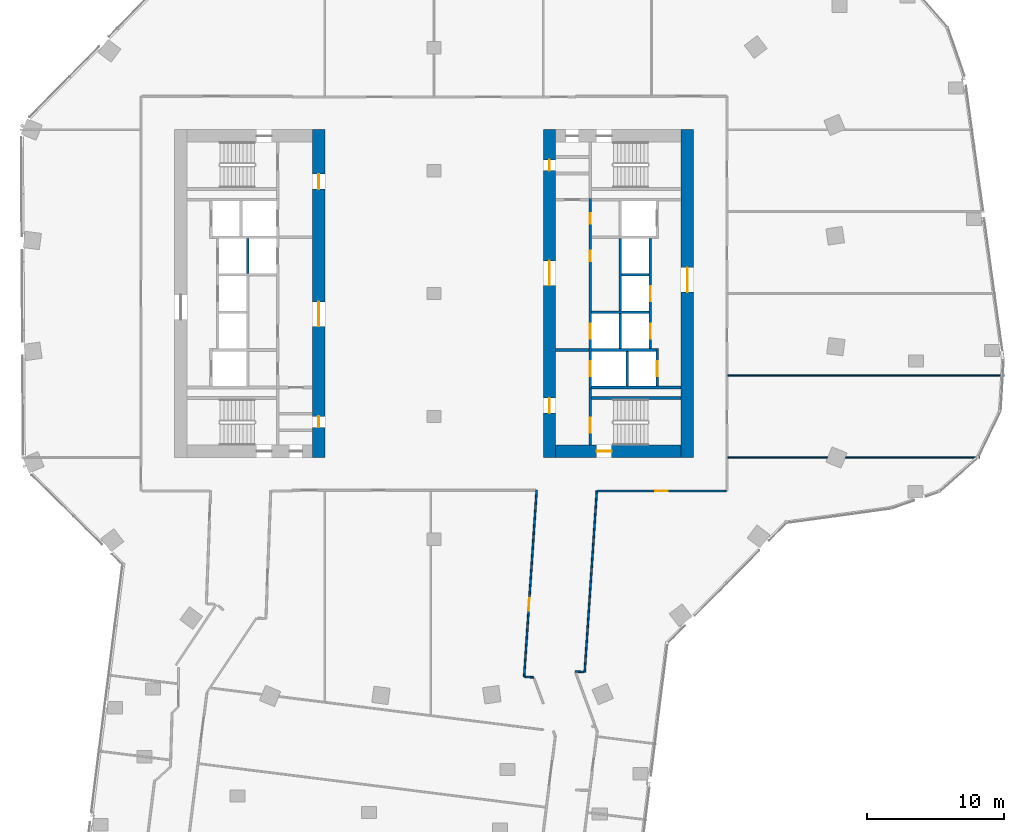
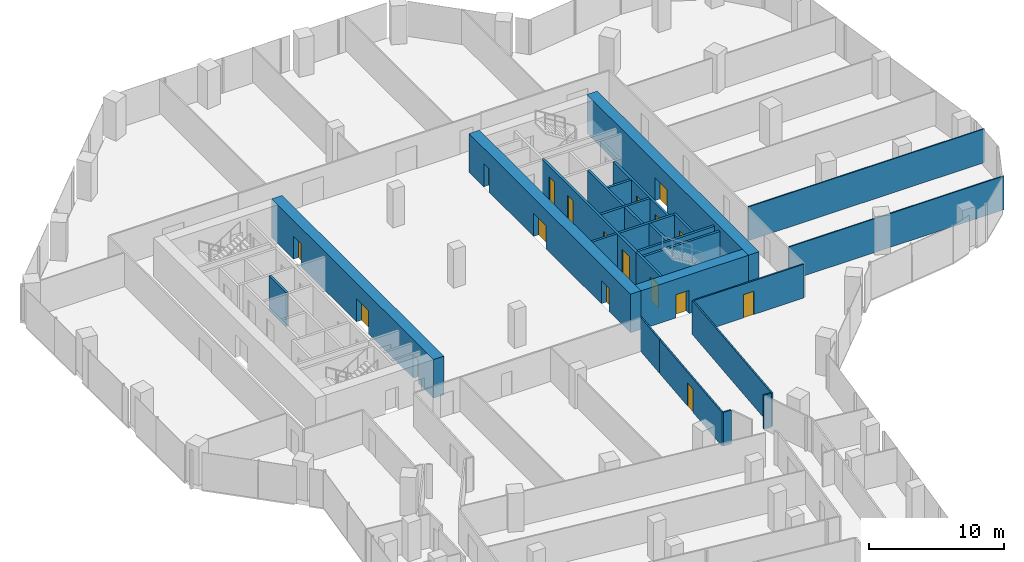
# One storey, part 21 of 27: 26 walls, 18 doors, 18 openings.
"""IFC4 building model written with IfcOpenShell, lengths in metres."""

from ifc_helpers import new_model, si_unit, direction, frame, frame_2d, origin, place, context, subcontext, project, spatial, rectangle, extrude, material, layer, layer_set, type_object, element, fill, save


model = new_model("IFC4")

# Units and contexts
model_context = context("Model", 3, precision=1e-05, world=origin(), true_north=direction((0.0, 1.0)))
body_context = subcontext(model_context, "Body", "Model", "MODEL_VIEW")
ifc_project = project(units=[si_unit("LENGTHUNIT", "METRE"), si_unit("AREAUNIT", "SQUARE_METRE"), si_unit("VOLUMEUNIT", "CUBIC_METRE"), si_unit("PLANEANGLEUNIT", "RADIAN"), si_unit("MASSUNIT", "GRAM", prefix="KILO")], contexts=[model_context])

# Site, building, storey
site_placement = place(None, origin())
site = spatial("IfcSite", under=ifc_project, at=site_placement, CompositionType="ELEMENT")
building_placement = place(site_placement, origin())
building = spatial("IfcBuilding", under=site, at=building_placement, Name="Orlundy Tower", CompositionType="ELEMENT")
storey_placement = place(building_placement, frame((0.0, 0.0, 195.60009765625)))
storey = spatial("IfcBuildingStorey", under=building, at=storey_placement, Name="L51", CompositionType="ELEMENT", Elevation=195.60009765625)

# Wall, openings, doors
ifc_material_1 = material(Name="Concrete C70/85", Category="concrete")
ifc_layer_1 = layer(ifc_material_1, 0.89990234375)
ifc_layer_set_1 = layer_set([ifc_layer_1], Name="CORE WALL 900 C70/85")
wall_type_1 = type_object("IfcWallType", Name="CORE WALL 900 C70/85", PredefinedType="SHEAR", material=ifc_layer_set_1)
wall_1_placement = place(storey_placement, frame((-8.449951171875, -12.0, 0.0), z_axis=(0.0, 0.0, 1.0), x_axis=(0.0, 1.0, 0.0)))
wall_1 = element("IfcWall", 1, at=wall_1_placement, inside=storey, type_object=wall_type_1, Name="Core wall W-E L51", PredefinedType="SHEAR", context=body_context, shape_type="SweptSolid", body=[
    extrude(rectangle(XDim=24.0, YDim=0.89990234375, at=frame_2d((12.0, 0.0))), origin(), (0.0, 0.0, 1.0), 3.5),
])
opening_1_placement = place(wall_1_placement, frame((9.60009765625, 0.0, 0.0)))
opening_1 = element("IfcOpeningElement", 2, at=opening_1_placement, cuts=wall_1, Name="Opening 39009", PredefinedType="OPENING", context=body_context, shape_type="SweptSolid", body=[
    extrude(rectangle(XDim=1.800048828125, YDim=2.10009765625, at=frame_2d((0.89990234375, 1.050048828125))), frame((0.0, 0.4599609375, 0.0), z_axis=(0.0, -1.0, 0.0), x_axis=(1.0, 0.0, 0.0)), (0.0, 0.0, 1.0), 0.919921875),
])
opening_2_placement = place(wall_1_placement, frame((19.64990234375, 0.0, 0.0)))
opening_2 = element("IfcOpeningElement", 3, at=opening_2_placement, cuts=wall_1, Name="Opening 39011", PredefinedType="OPENING", context=body_context, shape_type="SweptSolid", body=[
    extrude(rectangle(XDim=1.10009765625, YDim=2.10009765625, at=frame_2d((0.550048828125, 1.050048828125))), frame((0.0, 0.4599609375, 0.0), z_axis=(0.0, -1.0, 0.0), x_axis=(1.0, 0.0, 0.0)), (0.0, 0.0, 1.0), 0.919921875),
])
opening_3_placement = place(wall_1_placement, frame((2.199951171875, 0.0, 0.0)))
opening_3 = element("IfcOpeningElement", 4, at=opening_3_placement, cuts=wall_1, Name="Opening 39016", PredefinedType="OPENING", context=body_context, shape_type="SweptSolid", body=[
    extrude(rectangle(XDim=0.800048828125, YDim=2.10009765625, at=frame_2d((0.39990234375, 1.050048828125))), frame((0.0, 0.4599609375, 0.0), z_axis=(0.0, -1.0, 0.0), x_axis=(1.0, 0.0, 0.0)), (0.0, 0.0, 1.0), 0.919921875),
])
ifc_material_2 = material(Name="Steel door set", Category="steel")
door_type_1 = type_object("IfcDoorType", Name="Fire-fighting Lobby Door 1100x2100", OperationType="SINGLE_SWING_LEFT", PredefinedType="DOOR", material=ifc_material_2)
door_1_placement = place(opening_2_placement, origin())
door_1 = element("IfcDoor", 5, at=door_1_placement, inside=storey, type_object=door_type_1, Name="Fire-fighting lobby door 39011", OperationType="SINGLE_SWING_RIGHT", OverallHeight=2.10009765625, OverallWidth=1.10009765625, PredefinedType="DOOR", context=body_context, shape_type="SweptSolid", body=[
    extrude(rectangle(XDim=1.10009765625, YDim=2.10009765625, at=frame_2d((0.550048828125, 1.050048828125))), frame((0.0, 0.02490234375, 0.0), z_axis=(0.0, -1.0, 0.0), x_axis=(1.0, 0.0, 0.0)), (0.0, 0.0, 1.0), 0.050048828125),
])
fill(opening_2, door_1)
ifc_material_3 = material(Name="Timber door set", Category="wood")
door_type_2 = type_object("IfcDoorType", Name="Lobby Door 1800x2100", OperationType="DOUBLE_DOOR_DOUBLE_SWING", PredefinedType="DOOR", material=ifc_material_3)
door_2_placement = place(opening_1_placement, origin())
door_2 = element("IfcDoor", 6, at=door_2_placement, inside=storey, type_object=door_type_2, Name="Lift lobby door 39009", OperationType="SINGLE_SWING_LEFT", OverallHeight=2.10009765625, OverallWidth=1.800048828125, PredefinedType="DOOR", context=body_context, shape_type="SweptSolid", body=[
    extrude(rectangle(XDim=1.800048828125, YDim=2.10009765625, at=frame_2d((0.89990234375, 1.050048828125))), frame((0.0, 0.02490234375, 0.0), z_axis=(0.0, -1.0, 0.0), x_axis=(1.0, 0.0, 0.0)), (0.0, 0.0, 1.0), 0.050048828125),
])
fill(opening_1, door_2)
ifc_material_4 = material(Name="Timber door set", Category="wood")
door_type_3 = type_object("IfcDoorType", Name="Riser Door 800x2100", OperationType="SINGLE_SWING_LEFT", PredefinedType="DOOR", material=ifc_material_4)
door_3_placement = place(opening_3_placement, origin())
door_3 = element("IfcDoor", 7, at=door_3_placement, inside=storey, type_object=door_type_3, Name="Door 39016", OperationType="SINGLE_SWING_LEFT", OverallHeight=2.10009765625, OverallWidth=0.800048828125, PredefinedType="DOOR", context=body_context, shape_type="SweptSolid", body=[
    extrude(rectangle(XDim=0.800048828125, YDim=2.10009765625, at=frame_2d((0.39990234375, 1.050048828125))), frame((0.0, 0.02490234375, 0.0), z_axis=(0.0, -1.0, 0.0), x_axis=(1.0, 0.0, 0.0)), (0.0, 0.0, 1.0), 0.050048828125),
])
fill(opening_3, door_3)

# Wall, opening, door
wall_2_placement = place(storey_placement, frame((8.89990234375, -11.550048828125, 0.0), z_axis=(0.0, 0.0, 1.0), x_axis=(1.0, 0.0, 0.0)))
wall_2 = element("IfcWall", 8, at=wall_2_placement, inside=storey, type_object=wall_type_1, Name="Core wall E-S L51", PredefinedType="SHEAR", context=body_context, shape_type="SweptSolid", body=[
    extrude(rectangle(XDim=9.2001953125, YDim=0.89990234375, at=frame_2d((4.60009765625, 0.0))), origin(), (0.0, 0.0, 1.0), 3.5),
])
opening_4_placement = place(wall_2_placement, frame((3.0, 0.0, 0.0)))
opening_4 = element("IfcOpeningElement", 9, at=opening_4_placement, cuts=wall_2, Name="Opening 39061", PredefinedType="OPENING", context=body_context, shape_type="SweptSolid", body=[
    extrude(rectangle(XDim=1.10009765625, YDim=2.10009765625, at=frame_2d((0.550048828125, 1.050048828125))), frame((0.0, 0.4599609375, 0.0), z_axis=(0.0, -1.0, 0.0), x_axis=(1.0, 0.0, 0.0)), (0.0, 0.0, 1.0), 0.919921875),
])
ifc_material_5 = material(Name="Steel door set", Category="steel")
door_type_4 = type_object("IfcDoorType", Name="Stair Door 1100x2100", OperationType="SINGLE_SWING_LEFT", PredefinedType="DOOR", material=ifc_material_5)
door_4_placement = place(opening_4_placement, origin())
door_4 = element("IfcDoor", 10, at=door_4_placement, inside=storey, type_object=door_type_4, Name="Stair door 39061", OperationType="SINGLE_SWING_LEFT", OverallHeight=2.10009765625, OverallWidth=1.10009765625, PredefinedType="DOOR", context=body_context, shape_type="SweptSolid", body=[
    extrude(rectangle(XDim=1.10009765625, YDim=2.10009765625, at=frame_2d((0.550048828125, 1.050048828125))), frame((0.0, 0.02490234375, 0.0), z_axis=(0.0, -1.0, 0.0), x_axis=(1.0, 0.0, 0.0)), (0.0, 0.0, 1.0), 0.050048828125),
])
fill(opening_4, door_4)

# Wall, openings, doors
wall_3_placement = place(storey_placement, frame((8.449951171875, -12.0, 0.0), z_axis=(0.0, 0.0, 1.0), x_axis=(0.0, 1.0, 0.0)))
wall_3 = element("IfcWall", 11, at=wall_3_placement, inside=storey, type_object=wall_type_1, Name="Core wall E-W L51", PredefinedType="SHEAR", context=body_context, shape_type="SweptSolid", body=[
    extrude(rectangle(XDim=24.0, YDim=0.89990234375, at=frame_2d((12.0, 0.0))), origin(), (0.0, 0.0, 1.0), 3.5),
])
opening_5_placement = place(wall_3_placement, frame((12.60009765625, 0.0, 0.0)))
opening_5 = element("IfcOpeningElement", 12, at=opening_5_placement, cuts=wall_3, Name="Opening 39058", PredefinedType="OPENING", context=body_context, shape_type="SweptSolid", body=[
    extrude(rectangle(XDim=1.800048828125, YDim=2.10009765625, at=frame_2d((0.89990234375, 1.050048828125))), frame((0.0, 0.4599609375, 0.0), z_axis=(0.0, -1.0, 0.0), x_axis=(1.0, 0.0, 0.0)), (0.0, 0.0, 1.0), 0.919921875),
])
opening_6_placement = place(wall_3_placement, frame((3.25, 0.0, 0.0)))
opening_6 = element("IfcOpeningElement", 13, at=opening_6_placement, cuts=wall_3, Name="Opening 39060", PredefinedType="OPENING", context=body_context, shape_type="SweptSolid", body=[
    extrude(rectangle(XDim=1.10009765625, YDim=2.10009765625, at=frame_2d((0.550048828125, 1.050048828125))), frame((0.0, 0.4599609375, 0.0), z_axis=(0.0, -1.0, 0.0), x_axis=(1.0, 0.0, 0.0)), (0.0, 0.0, 1.0), 0.919921875),
])
opening_7_placement = place(wall_3_placement, frame((21.0, 0.0, 0.0)))
opening_7 = element("IfcOpeningElement", 14, at=opening_7_placement, cuts=wall_3, Name="Opening 39065", PredefinedType="OPENING", context=body_context, shape_type="SweptSolid", body=[
    extrude(rectangle(XDim=0.800048828125, YDim=2.10009765625, at=frame_2d((0.39990234375, 1.050048828125))), frame((0.0, 0.4599609375, 0.0), z_axis=(0.0, -1.0, 0.0), x_axis=(1.0, 0.0, 0.0)), (0.0, 0.0, 1.0), 0.919921875),
])
door_5_placement = place(opening_6_placement, origin())
door_5 = element("IfcDoor", 15, at=door_5_placement, inside=storey, type_object=door_type_1, Name="Fire-fighting lobby door 39060", OperationType="SINGLE_SWING_LEFT", OverallHeight=2.10009765625, OverallWidth=1.10009765625, PredefinedType="DOOR", context=body_context, shape_type="SweptSolid", body=[
    extrude(rectangle(XDim=1.10009765625, YDim=2.10009765625, at=frame_2d((0.550048828125, 1.050048828125))), frame((0.0, 0.02490234375, 0.0), z_axis=(0.0, -1.0, 0.0), x_axis=(1.0, 0.0, 0.0)), (0.0, 0.0, 1.0), 0.050048828125),
])
fill(opening_6, door_5)
door_6_placement = place(opening_5_placement, origin())
door_6 = element("IfcDoor", 16, at=door_6_placement, inside=storey, type_object=door_type_2, Name="Lift lobby door 39058", OperationType="SINGLE_SWING_RIGHT", OverallHeight=2.10009765625, OverallWidth=1.800048828125, PredefinedType="DOOR", context=body_context, shape_type="SweptSolid", body=[
    extrude(rectangle(XDim=1.800048828125, YDim=2.10009765625, at=frame_2d((0.89990234375, 1.050048828125))), frame((0.0, 0.02490234375, 0.0), z_axis=(0.0, -1.0, 0.0), x_axis=(1.0, 0.0, 0.0)), (0.0, 0.0, 1.0), 0.050048828125),
])
fill(opening_5, door_6)
door_7_placement = place(opening_7_placement, origin())
door_7 = element("IfcDoor", 17, at=door_7_placement, inside=storey, type_object=door_type_3, Name="Door 39065", OperationType="SINGLE_SWING_RIGHT", OverallHeight=2.10009765625, OverallWidth=0.800048828125, PredefinedType="DOOR", context=body_context, shape_type="SweptSolid", body=[
    extrude(rectangle(XDim=0.800048828125, YDim=2.10009765625, at=frame_2d((0.39990234375, 1.050048828125))), frame((0.0, 0.02490234375, 0.0), z_axis=(0.0, -1.0, 0.0), x_axis=(1.0, 0.0, 0.0)), (0.0, 0.0, 1.0), 0.050048828125),
])
fill(opening_7, door_7)

# Wall, opening, door
wall_4_placement = place(storey_placement, frame((18.550048828125, -12.0, 0.0), z_axis=(0.0, 0.0, 1.0), x_axis=(0.0, 1.0, 0.0)))
wall_4 = element("IfcWall", 18, at=wall_4_placement, inside=storey, type_object=wall_type_1, Name="Core wall E-E L51", PredefinedType="SHEAR", context=body_context, shape_type="SweptSolid", body=[
    extrude(rectangle(XDim=24.0, YDim=0.89990234375, at=frame_2d((12.0, 0.0))), origin(), (0.0, 0.0, 1.0), 3.5),
])
opening_8_placement = place(wall_4_placement, frame((12.10009765625, 0.0, 0.0)))
opening_8 = element("IfcOpeningElement", 19, at=opening_8_placement, cuts=wall_4, Name="Opening 39059", PredefinedType="OPENING", context=body_context, shape_type="SweptSolid", body=[
    extrude(rectangle(XDim=1.800048828125, YDim=2.10009765625, at=frame_2d((0.89990234375, 1.050048828125))), frame((0.0, 0.4599609375, 0.0), z_axis=(0.0, -1.0, 0.0), x_axis=(1.0, 0.0, 0.0)), (0.0, 0.0, 1.0), 0.919921875),
])
door_8_placement = place(opening_8_placement, origin())
door_8 = element("IfcDoor", 20, at=door_8_placement, inside=storey, type_object=door_type_2, Name="Lift lobby door 39059", OperationType="SINGLE_SWING_RIGHT", OverallHeight=2.10009765625, OverallWidth=1.800048828125, PredefinedType="DOOR", context=body_context, shape_type="SweptSolid", body=[
    extrude(rectangle(XDim=1.800048828125, YDim=2.10009765625, at=frame_2d((0.89990234375, 1.050048828125))), frame((0.0, 0.02490234375, 0.0), z_axis=(0.0, -1.0, 0.0), x_axis=(1.0, 0.0, 0.0)), (0.0, 0.0, 1.0), 0.050048828125),
])
fill(opening_8, door_8)

# Walls
ifc_material_6 = material(Name="Gypsum board partition")
ifc_layer_2 = layer(ifc_material_6, 0.10009765625)
ifc_layer_set_2 = layer_set([ifc_layer_2], Name="Floor partition 100")
wall_type_2 = type_object("IfcWallType", Name="Floor partition 100", PredefinedType="PARTITIONING", material=ifc_layer_set_2)
wall_5_placement = place(storey_placement, frame((21.511962890625, -12.0, 0.0), z_axis=(0.0, 0.0, 1.0), x_axis=(1.0, 0.0, 0.0)))
element("IfcWall", 21, at=wall_5_placement, inside=storey, type_object=wall_type_2, Name="wall-int-L51-034", PredefinedType="PARTITIONING", context=body_context, shape_type="SweptSolid", body=[
    extrude(rectangle(XDim=18.43701171875, YDim=0.10009765625, at=frame_2d((9.218505859375, 0.0))), origin(), (0.0, 0.0, 1.0), 3.059814453125),
])
wall_6_placement = place(storey_placement, frame((21.511962890625, -6.0, 0.0), z_axis=(0.0, 0.0, 1.0), x_axis=(1.0, 0.0, 0.0)))
element("IfcWall", 22, at=wall_6_placement, inside=storey, type_object=wall_type_2, Name="wall-int-L51-035", PredefinedType="PARTITIONING", context=body_context, shape_type="SweptSolid", body=[
    extrude(rectangle(XDim=20.22509765625, YDim=0.10009765625, at=frame_2d((10.112548828125, 0.0))), origin(), (0.0, 0.0, 1.0), 3.059814453125),
])
ifc_material_7 = material(Name="Gypsum board partition, double layer")
ifc_layer_3 = layer(ifc_material_7, 0.125)
ifc_layer_set_3 = layer_set([ifc_layer_3], Name="Floor partition 125")
wall_type_3 = type_object("IfcWallType", Name="Floor partition 125", PredefinedType="PARTITIONING", material=ifc_layer_set_3)
wall_7_placement = place(storey_placement, frame((10.33203125, -27.6708984375, 0.0), z_axis=(0.0, 0.0, 1.0), x_axis=(0.997692558801, -0.067893726608, 0.0)))
element("IfcWall", 23, at=wall_7_placement, inside=storey, type_object=wall_type_3, Name="wall-int-L51-021", PredefinedType="PARTITIONING", context=body_context, shape_type="SweptSolid", body=[
    extrude(rectangle(XDim=0.636474609375, YDim=0.125, at=frame_2d((0.318359375, 0.0))), origin(), (0.0, 0.0, 1.0), 3.059814453125),
])
wall_8_placement = place(storey_placement, frame((6.657958984375, -28.06396484375, 0.0), z_axis=(0.0, 0.0, 1.0), x_axis=(0.997732391846, -0.067305826357, 0.0)))
element("IfcWall", 24, at=wall_8_placement, inside=storey, type_object=wall_type_3, Name="wall-int-L51-022", PredefinedType="PARTITIONING", context=body_context, shape_type="SweptSolid", body=[
    extrude(rectangle(XDim=0.638427734375, YDim=0.125, at=frame_2d((0.3193359375, 0.0))), origin(), (0.0, 0.0, 1.0), 3.059814453125),
])

# Wall, opening, door
wall_9_placement = place(storey_placement, frame((21.386962890625, -14.450927734375, 0.0), z_axis=(0.0, 0.0, 1.0), x_axis=(-1.0, 0.0, 0.0)))
wall_9 = element("IfcWall", 25, at=wall_9_placement, inside=storey, type_object=wall_type_3, Name="wall-int-L51-031", PredefinedType="PARTITIONING", context=body_context, shape_type="SweptSolid", body=[
    extrude(rectangle(XDim=9.404052734375, YDim=0.125, at=frame_2d((4.7021484375, 0.0))), origin(), (0.0, 0.0, 1.0), 3.059814453125),
])
opening_9_placement = place(wall_9_placement, frame((4.28759765625, 0.0, 0.0)))
opening_9 = element("IfcOpeningElement", 26, at=opening_9_placement, cuts=wall_9, Name="Opening 39117", PredefinedType="OPENING", context=body_context, shape_type="SweptSolid", body=[
    extrude(rectangle(XDim=0.89990234375, YDim=2.10009765625, at=frame_2d((0.449951171875, 1.050048828125))), frame((0.0, 0.072509765625, 0.0), z_axis=(0.0, -1.0, 0.0), x_axis=(1.0, 0.0, 0.0)), (0.0, 0.0, 1.0), 0.14501953125),
])
ifc_material_8 = material(Name="Timber door leaf", Category="wood")
door_type_5 = type_object("IfcDoorType", Name="Floor door single 900 FD30S", OperationType="NOTDEFINED", PredefinedType="DOOR", material=ifc_material_8)
door_9_placement = place(opening_9_placement, origin())
door_9 = element("IfcDoor", 27, at=door_9_placement, inside=storey, type_object=door_type_5, Name="Door 39117", OperationType="SINGLE_SWING_RIGHT", OverallHeight=2.10009765625, OverallWidth=0.89990234375, PredefinedType="DOOR", context=body_context, shape_type="SweptSolid", body=[
    extrude(rectangle(XDim=0.89990234375, YDim=2.10009765625, at=frame_2d((0.449951171875, 1.050048828125))), frame((0.0, 0.02490234375, 0.0), z_axis=(0.0, -1.0, 0.0), x_axis=(1.0, 0.0, 0.0)), (0.0, 0.0, 1.0), 0.050048828125),
])
fill(opening_9, door_9)

# Walls
wall_10_placement = place(storey_placement, frame((11.030029296875, -27.717041015625, 0.0), z_axis=(0.0, 0.0, 1.0), x_axis=(0.067002832517, 0.99775278523, 0.0)))
element("IfcWall", 28, at=wall_10_placement, inside=storey, type_object=wall_type_3, Name="wall-int-L51-062", PredefinedType="PARTITIONING", context=body_context, shape_type="SweptSolid", body=[
    extrude(rectangle(XDim=13.2958984375, YDim=0.125, at=frame_2d((6.64794921875, 0.0))), origin(), (0.0, 0.0, 1.0), 3.059814453125),
])
wall_11_placement = place(storey_placement, frame((7.294921875, -17.64208984375, 0.0), z_axis=(0.0, 0.0, 1.0), x_axis=(0.067112582875, 0.99774540902, 0.0)))
element("IfcWall", 29, at=wall_11_placement, inside=storey, type_object=wall_type_3, Name="wall-int-L51-063", PredefinedType="PARTITIONING", context=body_context, shape_type="SweptSolid", body=[
    extrude(rectangle(XDim=3.24853515625, YDim=0.125, at=frame_2d((1.624267578125, 0.0))), origin(), (0.0, 0.0, 1.0), 3.059814453125),
])

# Wall, opening, door
wall_12_placement = place(storey_placement, frame((6.595947265625, -28.05908203125, 0.0), z_axis=(0.0, 0.0, 1.0), x_axis=(0.066948921555, 0.99775640409, 0.0)))
wall_12 = element("IfcWall", 30, at=wall_12_placement, inside=storey, type_object=wall_type_3, Name="wall-int-L51-064", PredefinedType="PARTITIONING", context=body_context, shape_type="SweptSolid", body=[
    extrude(rectangle(XDim=10.4404296875, YDim=0.125, at=frame_2d((5.22021484375, 0.0))), origin(), (0.0, 0.0, 1.0), 3.059814453125),
])
opening_10_placement = place(wall_12_placement, frame((4.85009765625, 0.0, 0.0)))
opening_10 = element("IfcOpeningElement", 31, at=opening_10_placement, cuts=wall_12, Name="Opening 39116", PredefinedType="OPENING", context=body_context, shape_type="SweptSolid", body=[
    extrude(rectangle(XDim=0.89990234375, YDim=2.10009765625, at=frame_2d((0.449951171875, 1.050048828125))), frame((0.0, 0.072509765625, 0.0), z_axis=(0.0, -1.0, 0.0), x_axis=(1.0, 0.0, 0.0)), (0.0, 0.0, 1.0), 0.14501953125),
])
door_10_placement = place(opening_10_placement, origin())
door_10 = element("IfcDoor", 32, at=door_10_placement, inside=storey, type_object=door_type_5, Name="Door 39116", OperationType="SINGLE_SWING_RIGHT", OverallHeight=2.10009765625, OverallWidth=0.89990234375, PredefinedType="DOOR", context=body_context, shape_type="SweptSolid", body=[
    extrude(rectangle(XDim=0.89990234375, YDim=2.10009765625, at=frame_2d((0.449951171875, 1.050048828125))), frame((0.0, 0.02490234375, 0.0), z_axis=(0.0, -1.0, 0.0), x_axis=(1.0, 0.0, 0.0)), (0.0, 0.0, 1.0), 0.050048828125),
])
fill(opening_10, door_10)

ifc_material_9 = material(Name="Concrete C40/50", Category="concrete")
ifc_layer_4 = layer(ifc_material_9, 0.199951171875)
ifc_layer_set_4 = layer_set([ifc_layer_4], Name="Load-bearing Shaft Wall 200")
wall_type_4 = type_object("IfcWallType", Name="Load-bearing Shaft Wall 200", PredefinedType="SOLIDWALL", material=ifc_layer_set_4)
wall_13_placement = place(storey_placement, frame((11.43994140625, -6.97509765625, 0.0), z_axis=(0.0, 0.0, 1.0), x_axis=(0.0, -1.0, 0.0)))
wall_13 = element("IfcWall", 33, at=wall_13_placement, inside=storey, type_object=wall_type_4, Name="Shaft wall E39-stair-end-n", PredefinedType="SOLIDWALL", context=body_context, shape_type="SweptSolid", body=[
    extrude(rectangle(XDim=4.125, YDim=0.199951171875, at=frame_2d((2.0625, 0.0))), origin(), (0.0, 0.0, 1.0), 3.079833984375),
])
opening_11_placement = place(wall_13_placement, frame((2.10009765625, 0.0, 0.0)))
opening_11 = element("IfcOpeningElement", 34, at=opening_11_placement, cuts=wall_13, Name="Opening 39063", PredefinedType="OPENING", context=body_context, shape_type="SweptSolid", body=[
    extrude(rectangle(XDim=1.10009765625, YDim=2.10009765625, at=frame_2d((0.550048828125, 1.050048828125))), frame((0.0, 0.110107421875, 0.0), z_axis=(0.0, -1.0, 0.0), x_axis=(1.0, 0.0, 0.0)), (0.0, 0.0, 1.0), 0.22021484375),
])
door_11_placement = place(opening_11_placement, origin())
door_11 = element("IfcDoor", 35, at=door_11_placement, inside=storey, type_object=door_type_1, Name="Fire-fighting lobby to stair door 39063", OperationType="SINGLE_SWING_RIGHT", OverallHeight=2.10009765625, OverallWidth=1.10009765625, PredefinedType="DOOR", context=body_context, shape_type="SweptSolid", body=[
    extrude(rectangle(XDim=1.10009765625, YDim=2.10009765625, at=frame_2d((0.550048828125, 1.050048828125))), frame((0.0, 0.02490234375, 0.0), z_axis=(0.0, -1.0, 0.0), x_axis=(1.0, 0.0, 0.0)), (0.0, 0.0, 1.0), 0.050048828125),
])
fill(opening_11, door_11)

# Walls
wall_14_placement = place(storey_placement, frame((11.5400390625, -7.64990234375, 0.0), z_axis=(0.0, 0.0, 1.0), x_axis=(1.0, 0.0, 0.0)))
element("IfcWall", 36, at=wall_14_placement, inside=storey, type_object=wall_type_4, Name="Shaft wall E39-stair-side-n", PredefinedType="SOLIDWALL", context=body_context, shape_type="SweptSolid", body=[
    extrude(rectangle(XDim=6.56005859375, YDim=0.199951171875, at=frame_2d((3.280029296875, 0.0))), origin(), (0.0, 0.0, 1.0), 3.079833984375),
])
ifc_material_10 = material(Name="Gypsum board partition on steel studs", Category="steel")
ifc_layer_5 = layer(ifc_material_10, 0.199951171875)
ifc_layer_set_5 = layer_set([ifc_layer_5], Name="Partition 200")
wall_type_5 = type_object("IfcWallType", Name="Partition 200", PredefinedType="PARTITIONING", material=ifc_layer_set_5)
wall_15_placement = place(storey_placement, frame((8.89990234375, -4.125, 0.0), z_axis=(0.0, 0.0, 1.0), x_axis=(1.0, 0.0, 0.0)))
element("IfcWall", 37, at=wall_15_placement, inside=storey, type_object=wall_type_5, Name="Partition wall E39-lobby-n", PredefinedType="PARTITIONING", context=body_context, shape_type="SweptSolid", body=[
    extrude(rectangle(XDim=2.440185546875, YDim=0.199951171875, at=frame_2d((1.22021484375, 0.0))), origin(), (0.0, 0.0, 1.0), 3.079833984375),
])
ifc_material_11 = material(Name="Fire-rated blockwork shaft wall", Category="masonry")
ifc_layer_6 = layer(ifc_material_11, 0.199951171875)
ifc_layer_set_6 = layer_set([ifc_layer_6], Name="Shaft Wall 200")
wall_type_6 = type_object("IfcWallType", Name="Shaft Wall 200", PredefinedType="SOLIDWALL", material=ifc_layer_set_6)
wall_16_placement = place(storey_placement, frame((-13.639892578125, 1.47509765625, 0.0), z_axis=(0.0, 0.0, 1.0), x_axis=(0.0, 1.0, 0.0)))
element("IfcWall", 38, at=wall_16_placement, inside=storey, type_object=wall_type_6, Name="Shaft wall W39-mid-a.2", PredefinedType="SOLIDWALL", context=body_context, shape_type="SweptSolid", body=[
    extrude(rectangle(XDim=2.5498046875, YDim=0.199951171875, at=frame_2d((1.27490234375, 0.0))), origin(), (0.0, 0.0, 1.0), 3.079833984375),
])
wall_17_placement = place(storey_placement, frame((11.5400390625, -6.875, 0.0), z_axis=(0.0, 0.0, 1.0), x_axis=(1.0, 0.0, 0.0)))
element("IfcWall", 39, at=wall_17_placement, inside=storey, type_object=wall_type_6, Name="Shaft wall E39-zone-n", PredefinedType="SOLIDWALL", context=body_context, shape_type="SweptSolid", body=[
    extrude(rectangle(XDim=6.56005859375, YDim=0.199951171875, at=frame_2d((3.280029296875, 0.0))), origin(), (0.0, 0.0, 1.0), 3.079833984375),
])
wall_18_placement = place(storey_placement, frame((13.739990234375, 1.375, 0.0), z_axis=(0.0, 0.0, 1.0), x_axis=(1.0, 0.0, 0.0)))
element("IfcWall", 40, at=wall_18_placement, inside=storey, type_object=wall_type_6, Name="Shaft wall E39-cross-1.375", PredefinedType="SOLIDWALL", context=body_context, shape_type="SweptSolid", body=[
    extrude(rectangle(XDim=2.0, YDim=0.199951171875, at=frame_2d((1.0, 0.0))), origin(), (0.0, 0.0, 1.0), 3.079833984375),
])
wall_19_placement = place(storey_placement, frame((11.5400390625, -1.375, 0.0), z_axis=(0.0, 0.0, 1.0), x_axis=(1.0, 0.0, 0.0)))
element("IfcWall", 41, at=wall_19_placement, inside=storey, type_object=wall_type_6, Name="Shaft wall E39-cross+1.375", PredefinedType="SOLIDWALL", context=body_context, shape_type="SweptSolid", body=[
    extrude(rectangle(XDim=4.199951171875, YDim=0.199951171875, at=frame_2d((2.10009765625, 0.0))), origin(), (0.0, 0.0, 1.0), 3.079833984375),
])
wall_20_placement = place(storey_placement, frame((11.5400390625, -4.125, 0.0), z_axis=(0.0, 0.0, 1.0), x_axis=(1.0, 0.0, 0.0)))
element("IfcWall", 42, at=wall_20_placement, inside=storey, type_object=wall_type_6, Name="Shaft wall E39-cross+4.125", PredefinedType="SOLIDWALL", context=body_context, shape_type="SweptSolid", body=[
    extrude(rectangle(XDim=4.699951171875, YDim=0.199951171875, at=frame_2d((2.35009765625, 0.0))), origin(), (0.0, 0.0, 1.0), 3.079833984375),
])

# Wall, openings, doors
wall_21_placement = place(storey_placement, frame((11.43994140625, 6.97509765625, 0.0), z_axis=(0.0, 0.0, 1.0), x_axis=(0.0, -1.0, 0.0)))
wall_21 = element("IfcWall", 43, at=wall_21_placement, inside=storey, type_object=wall_type_6, Name="Shaft wall E39-front-h", PredefinedType="SOLIDWALL", context=body_context, shape_type="SweptSolid", body=[
    extrude(rectangle(XDim=13.9501953125, YDim=0.199951171875, at=frame_2d((6.97509765625, 0.0))), origin(), (0.0, 0.0, 1.0), 3.079833984375),
])
opening_12_placement = place(wall_21_placement, frame((9.175048828125, 0.0, 0.0)))
opening_12 = element("IfcOpeningElement", 44, at=opening_12_placement, cuts=wall_21, Name="Opening 39052", PredefinedType="OPENING", context=body_context, shape_type="SweptSolid", body=[
    extrude(rectangle(XDim=1.10009765625, YDim=2.10009765625, at=frame_2d((0.550048828125, 1.050048828125))), frame((0.0, 0.110107421875, 0.0), z_axis=(0.0, -1.0, 0.0), x_axis=(1.0, 0.0, 0.0)), (0.0, 0.0, 1.0), 0.22021484375),
])
opening_13_placement = place(wall_21_placement, frame((11.925048828125, 0.0, 0.0)))
opening_13 = element("IfcOpeningElement", 45, at=opening_13_placement, cuts=wall_21, Name="Opening 39054", PredefinedType="OPENING", context=body_context, shape_type="SweptSolid", body=[
    extrude(rectangle(XDim=1.10009765625, YDim=2.10009765625, at=frame_2d((0.550048828125, 1.050048828125))), frame((0.0, 0.110107421875, 0.0), z_axis=(0.0, -1.0, 0.0), x_axis=(1.0, 0.0, 0.0)), (0.0, 0.0, 1.0), 0.22021484375),
])
opening_14_placement = place(wall_21_placement, frame((1.074951171875, 0.0, 0.0)))
opening_14 = element("IfcOpeningElement", 46, at=opening_14_placement, cuts=wall_21, Name="Opening 39056", PredefinedType="OPENING", context=body_context, shape_type="SweptSolid", body=[
    extrude(rectangle(XDim=0.800048828125, YDim=2.10009765625, at=frame_2d((0.39990234375, 1.050048828125))), frame((0.0, 0.110107421875, 0.0), z_axis=(0.0, -1.0, 0.0), x_axis=(1.0, 0.0, 0.0)), (0.0, 0.0, 1.0), 0.22021484375),
])
opening_15_placement = place(wall_21_placement, frame((3.824951171875, 0.0, 0.0)))
opening_15 = element("IfcOpeningElement", 47, at=opening_15_placement, cuts=wall_21, Name="Opening 39057", PredefinedType="OPENING", context=body_context, shape_type="SweptSolid", body=[
    extrude(rectangle(XDim=0.800048828125, YDim=2.10009765625, at=frame_2d((0.39990234375, 1.050048828125))), frame((0.0, 0.110107421875, 0.0), z_axis=(0.0, -1.0, 0.0), x_axis=(1.0, 0.0, 0.0)), (0.0, 0.0, 1.0), 0.22021484375),
])
ifc_material_12 = material(Name="Steel door set", Category="steel")
door_type_6 = type_object("IfcDoorType", Name="Landing Door 1100x2100", OperationType="DOUBLE_DOOR_SLIDING", PredefinedType="DOOR", material=ifc_material_12)
door_12_placement = place(opening_12_placement, origin())
door_12 = element("IfcDoor", 48, at=door_12_placement, inside=storey, type_object=door_type_6, Name="Lift landing door LP-16 39052", OperationType="DOUBLE_DOOR_SLIDING", OverallHeight=2.10009765625, OverallWidth=1.10009765625, PredefinedType="DOOR", context=body_context, shape_type="SweptSolid", body=[
    extrude(rectangle(XDim=1.10009765625, YDim=2.10009765625, at=frame_2d((0.550048828125, 1.050048828125))), frame((0.0, 0.02490234375, 0.0), z_axis=(0.0, -1.0, 0.0), x_axis=(1.0, 0.0, 0.0)), (0.0, 0.0, 1.0), 0.050048828125),
])
fill(opening_12, door_12)
door_13_placement = place(opening_13_placement, origin())
door_13 = element("IfcDoor", 49, at=door_13_placement, inside=storey, type_object=door_type_6, Name="Lift landing door FL2 39054", OperationType="DOUBLE_DOOR_SLIDING", OverallHeight=2.10009765625, OverallWidth=1.10009765625, PredefinedType="DOOR", context=body_context, shape_type="SweptSolid", body=[
    extrude(rectangle(XDim=1.10009765625, YDim=2.10009765625, at=frame_2d((0.550048828125, 1.050048828125))), frame((0.0, 0.02490234375, 0.0), z_axis=(0.0, -1.0, 0.0), x_axis=(1.0, 0.0, 0.0)), (0.0, 0.0, 1.0), 0.050048828125),
])
fill(opening_13, door_13)
door_14_placement = place(opening_14_placement, origin())
door_14 = element("IfcDoor", 50, at=door_14_placement, inside=storey, type_object=door_type_3, Name="Electrical Riser Room door 39056", OperationType="SINGLE_SWING_LEFT", OverallHeight=2.10009765625, OverallWidth=0.800048828125, PredefinedType="DOOR", context=body_context, shape_type="SweptSolid", body=[
    extrude(rectangle(XDim=0.800048828125, YDim=2.10009765625, at=frame_2d((0.39990234375, 1.050048828125))), frame((0.0, 0.02490234375, 0.0), z_axis=(0.0, -1.0, 0.0), x_axis=(1.0, 0.0, 0.0)), (0.0, 0.0, 1.0), 0.050048828125),
])
fill(opening_14, door_14)
door_15_placement = place(opening_15_placement, origin())
door_15 = element("IfcDoor", 51, at=door_15_placement, inside=storey, type_object=door_type_3, Name="Plumbing Riser door 39057", OperationType="SINGLE_SWING_LEFT", OverallHeight=2.10009765625, OverallWidth=0.800048828125, PredefinedType="DOOR", context=body_context, shape_type="SweptSolid", body=[
    extrude(rectangle(XDim=0.800048828125, YDim=2.10009765625, at=frame_2d((0.39990234375, 1.050048828125))), frame((0.0, 0.02490234375, 0.0), z_axis=(0.0, -1.0, 0.0), x_axis=(1.0, 0.0, 0.0)), (0.0, 0.0, 1.0), 0.050048828125),
])
fill(opening_15, door_15)

# Walls
wall_22_placement = place(storey_placement, frame((13.639892578125, 4.02490234375, 0.0), z_axis=(0.0, 0.0, 1.0), x_axis=(0.0, -1.0, 0.0)))
element("IfcWall", 52, at=wall_22_placement, inside=storey, type_object=wall_type_6, Name="Shaft wall E39-mid-a.1", PredefinedType="SOLIDWALL", context=body_context, shape_type="SweptSolid", body=[
    extrude(rectangle(XDim=5.2998046875, YDim=0.199951171875, at=frame_2d((2.64990234375, 0.0))), origin(), (0.0, 0.0, 1.0), 3.079833984375),
])
for number, where, z_axis, x_axis, name in (
    (53, (13.639892578125, -1.47509765625, 0.0), (0.0, 0.0, 1.0), (0.0, -1.0, 0.0), "Shaft wall E39-mid-a.2"),
    (54, (14.139892578125, -4.22509765625, 0.0), (0.0, 0.0, 1.0), (0.0, -1.0, 0.0), "Shaft wall E39-mid-b"),
):
    element("IfcWall", number, at=place(storey_placement, frame(where, z_axis=z_axis, x_axis=x_axis)), inside=storey, type_object=wall_type_6, Name=name, PredefinedType="SOLIDWALL", context=body_context, shape_type="SweptSolid", body=[
        extrude(rectangle(XDim=2.5498046875, YDim=0.199951171875, at=frame_2d((1.27490234375, 0.0))), origin(), (0.0, 0.0, 1.0), 3.079833984375),
    ])

# Wall, openings, doors
wall_23_placement = place(storey_placement, frame((15.840087890625, 4.02490234375, 0.0), z_axis=(0.0, 0.0, 1.0), x_axis=(0.0, -1.0, 0.0)))
wall_23 = element("IfcWall", 55, at=wall_23_placement, inside=storey, type_object=wall_type_6, Name="Shaft wall E39-front-o-b", PredefinedType="SOLIDWALL", context=body_context, shape_type="SweptSolid", body=[
    extrude(rectangle(XDim=8.0498046875, YDim=0.199951171875, at=frame_2d((4.02490234375, 0.0))), origin(), (0.0, 0.0, 1.0), 3.079833984375),
])
opening_16_placement = place(wall_23_placement, frame((3.47509765625, 0.0, 0.0)))
opening_16 = element("IfcOpeningElement", 56, at=opening_16_placement, cuts=wall_23, Name="Opening 39051", PredefinedType="OPENING", context=body_context, shape_type="SweptSolid", body=[
    extrude(rectangle(XDim=1.10009765625, YDim=2.10009765625, at=frame_2d((0.550048828125, 1.050048828125))), frame((0.0, 0.110107421875, 0.0), z_axis=(0.0, -1.0, 0.0), x_axis=(1.0, 0.0, 0.0)), (0.0, 0.0, 1.0), 0.22021484375),
])
opening_17_placement = place(wall_23_placement, frame((6.22509765625, 0.0, 0.0)))
opening_17 = element("IfcOpeningElement", 57, at=opening_17_placement, cuts=wall_23, Name="Opening 39053", PredefinedType="OPENING", context=body_context, shape_type="SweptSolid", body=[
    extrude(rectangle(XDim=1.10009765625, YDim=2.10009765625, at=frame_2d((0.550048828125, 1.050048828125))), frame((0.0, 0.110107421875, 0.0), z_axis=(0.0, -1.0, 0.0), x_axis=(1.0, 0.0, 0.0)), (0.0, 0.0, 1.0), 0.22021484375),
])
door_16_placement = place(opening_16_placement, origin())
door_16 = element("IfcDoor", 58, at=door_16_placement, inside=storey, type_object=door_type_6, Name="Lift landing door LP-15 39051", OperationType="DOUBLE_DOOR_SLIDING", OverallHeight=2.10009765625, OverallWidth=1.10009765625, PredefinedType="DOOR", context=body_context, shape_type="SweptSolid", body=[
    extrude(rectangle(XDim=1.10009765625, YDim=2.10009765625, at=frame_2d((0.550048828125, 1.050048828125))), frame((0.0, 0.02490234375, 0.0), z_axis=(0.0, -1.0, 0.0), x_axis=(1.0, 0.0, 0.0)), (0.0, 0.0, 1.0), 0.050048828125),
])
fill(opening_16, door_16)
door_17_placement = place(opening_17_placement, origin())
door_17 = element("IfcDoor", 59, at=door_17_placement, inside=storey, type_object=door_type_6, Name="Lift landing door LP-17 39053", OperationType="DOUBLE_DOOR_SLIDING", OverallHeight=2.10009765625, OverallWidth=1.10009765625, PredefinedType="DOOR", context=body_context, shape_type="SweptSolid", body=[
    extrude(rectangle(XDim=1.10009765625, YDim=2.10009765625, at=frame_2d((0.550048828125, 1.050048828125))), frame((0.0, 0.02490234375, 0.0), z_axis=(0.0, -1.0, 0.0), x_axis=(1.0, 0.0, 0.0)), (0.0, 0.0, 1.0), 0.050048828125),
])
fill(opening_17, door_17)

# Wall, opening, door
wall_24_placement = place(storey_placement, frame((16.340087890625, -4.02490234375, 0.0), z_axis=(0.0, 0.0, 1.0), x_axis=(0.0, -1.0, 0.0)))
wall_24 = element("IfcWall", 60, at=wall_24_placement, inside=storey, type_object=wall_type_6, Name="Shaft wall E39-front-o-c", PredefinedType="SOLIDWALL", context=body_context, shape_type="SweptSolid", body=[
    extrude(rectangle(XDim=2.75, YDim=0.199951171875, at=frame_2d((1.375, 0.0))), origin(), (0.0, 0.0, 1.0), 3.079833984375),
])
opening_18_placement = place(wall_24_placement, frame((0.925048828125, 0.0, 0.0)))
opening_18 = element("IfcOpeningElement", 61, at=opening_18_placement, cuts=wall_24, Name="Opening 39055", PredefinedType="OPENING", context=body_context, shape_type="SweptSolid", body=[
    extrude(rectangle(XDim=1.10009765625, YDim=2.10009765625, at=frame_2d((0.550048828125, 1.050048828125))), frame((0.0, 0.110107421875, 0.0), z_axis=(0.0, -1.0, 0.0), x_axis=(1.0, 0.0, 0.0)), (0.0, 0.0, 1.0), 0.22021484375),
])
door_18_placement = place(opening_18_placement, origin())
door_18 = element("IfcDoor", 62, at=door_18_placement, inside=storey, type_object=door_type_6, Name="Lift landing door LP-18 39055", OperationType="DOUBLE_DOOR_SLIDING", OverallHeight=2.10009765625, OverallWidth=1.10009765625, PredefinedType="DOOR", context=body_context, shape_type="SweptSolid", body=[
    extrude(rectangle(XDim=1.10009765625, YDim=2.10009765625, at=frame_2d((0.550048828125, 1.050048828125))), frame((0.0, 0.02490234375, 0.0), z_axis=(0.0, -1.0, 0.0), x_axis=(1.0, 0.0, 0.0)), (0.0, 0.0, 1.0), 0.050048828125),
])
fill(opening_18, door_18)

save(model, "model.ifc")
